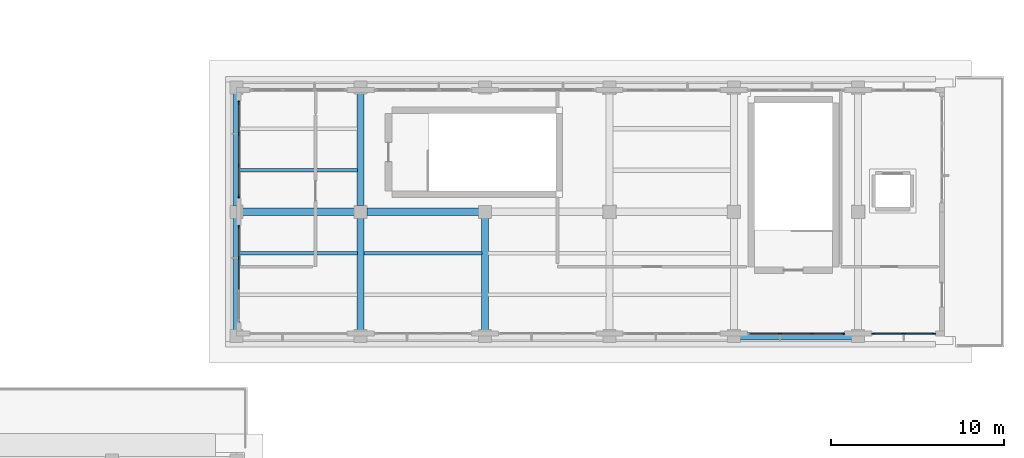
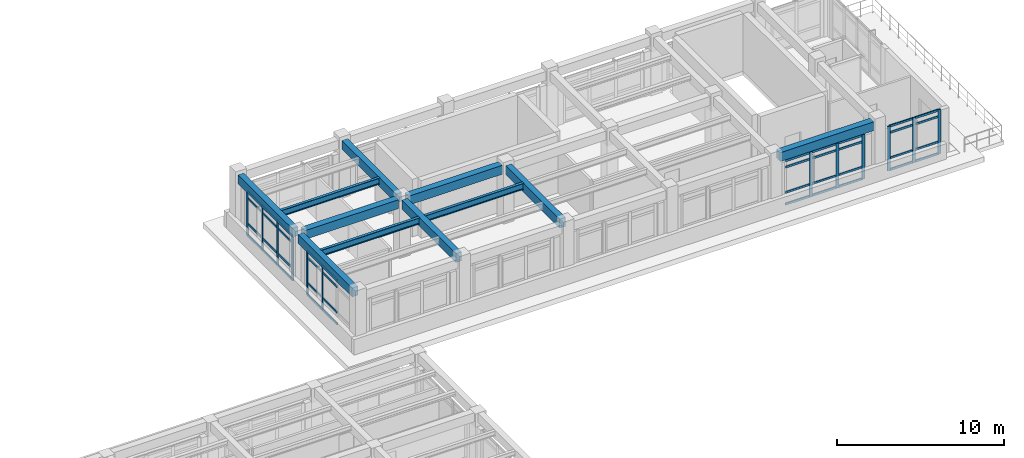
# One storey, part 15 of 64: 52 members, 11 beams, 4 elements without a shape of their own.
"""IFC4 building model written with IfcOpenShell, lengths in metres."""

from ifc_helpers import new_model, si_unit, direction, frame, origin, origin_2d, place, context, subcontext, project, spatial, rectangle, i_section, extrude, material, layer, layer_set, material_profile, profile_set, type_object, element, aggregate, save


model = new_model("IFC4")

# Units and contexts
model_context = context("Model", 3, precision=1e-05, world=origin(), true_north=direction((0.0, 1.0)))
body_context = subcontext(model_context, "Body", "Model", "MODEL_VIEW")
ifc_project = project(units=[si_unit("LENGTHUNIT", "METRE"), si_unit("AREAUNIT", "SQUARE_METRE"), si_unit("VOLUMEUNIT", "CUBIC_METRE"), si_unit("PLANEANGLEUNIT", "RADIAN"), si_unit("MASSUNIT", "GRAM", prefix="KILO")], contexts=[model_context])

# Site, building, storey
site_placement = place(None, origin())
site = spatial("IfcSite", under=ifc_project, at=site_placement, CompositionType="ELEMENT")
building_placement = place(site_placement, origin())
building = spatial("IfcBuilding", under=site, at=building_placement, Name="Solenvale Faculty of Natural Sciences", CompositionType="ELEMENT")
storey_placement = place(building_placement, frame((0.0, 0.0, 18.0)))
storey = spatial("IfcBuildingStorey", under=building, at=storey_placement, Name="L04", CompositionType="ELEMENT", Elevation=18.0)

# Beams
ifc_material_1 = material(Name="Concrete 40 MPa", Category="concrete")
ifc_material_profile_1 = material_profile(ifc_material_1, rectangle(XDim=0.39990234375, YDim=0.64990234375, at=origin_2d()), Name="RC-BM-400x650")
ifc_profile_set_1 = profile_set([ifc_material_profile_1], Name="Concrete 40 MPa")
beam_type_1 = type_object("IfcBeamType", Name="BM-RC-400x650", PredefinedType="BEAM", material=ifc_profile_set_1)
beam_1_placement = place(storey_placement, frame((115.199951171875, 43.554931640625, 3.89501953125), z_axis=(0.0, 1.0, 0.0), x_axis=(-1.0, 0.0, 0.0)))
element("IfcBeam", 1, at=beam_1_placement, inside=storey, type_object=beam_type_1, Name="L04 Y-Girder X115.2 (43.2..50.4)", PredefinedType="BEAM", context=body_context, shape_type="SweptSolid", body=[
    extrude(rectangle(XDim=0.39990234375, YDim=0.64990234375, at=origin_2d()), origin(), (0.0, 0.0, 1.0), 6.489990234375),
])
beam_2_placement = place(storey_placement, frame((115.199951171875, 50.7548828125, 3.89501953125), z_axis=(0.0, 1.0, 0.0), x_axis=(-1.0, 0.0, 0.0)))
element("IfcBeam", 2, at=beam_2_placement, inside=storey, type_object=beam_type_1, Name="L04 Y-Girder X115.2 (50.4..57.6)", PredefinedType="BEAM", context=body_context, shape_type="SweptSolid", body=[
    extrude(rectangle(XDim=0.39990234375, YDim=0.64990234375, at=origin_2d()), origin(), (0.0, 0.0, 1.0), 6.490234375),
])
beam_3_placement = place(storey_placement, frame((122.39990234375, 43.554931640625, 3.89501953125), z_axis=(0.0, 1.0, 0.0), x_axis=(-1.0, 0.0, 0.0)))
element("IfcBeam", 3, at=beam_3_placement, inside=storey, type_object=beam_type_1, Name="L04 Y-Girder X122.4 (43.2..50.4)", PredefinedType="BEAM", context=body_context, shape_type="SweptSolid", body=[
    extrude(rectangle(XDim=0.39990234375, YDim=0.64990234375, at=origin_2d()), origin(), (0.0, 0.0, 1.0), 6.489990234375),
])
beam_4_placement = place(storey_placement, frame((122.39990234375, 50.7548828125, 3.89501953125), z_axis=(0.0, 1.0, 0.0), x_axis=(-1.0, 0.0, 0.0)))
element("IfcBeam", 4, at=beam_4_placement, inside=storey, type_object=beam_type_1, Name="L04 Y-Girder X122.4 (50.4..57.6)", PredefinedType="BEAM", context=body_context, shape_type="SweptSolid", body=[
    extrude(rectangle(XDim=0.39990234375, YDim=0.64990234375, at=origin_2d()), origin(), (0.0, 0.0, 1.0), 6.490234375),
])
beam_5_placement = place(storey_placement, frame((129.60009765625, 43.554931640625, 3.89501953125), z_axis=(0.0, 1.0, 0.0), x_axis=(-1.0, 0.0, 0.0)))
element("IfcBeam", 5, at=beam_5_placement, inside=storey, type_object=beam_type_1, Name="L04 Y-Girder X129.6 (43.2..50.4)", PredefinedType="BEAM", context=body_context, shape_type="SweptSolid", body=[
    extrude(rectangle(XDim=0.39990234375, YDim=0.64990234375, at=origin_2d()), origin(), (0.0, 0.0, 1.0), 6.489990234375),
])
ifc_material_profile_2 = material_profile(ifc_material_1, rectangle(XDim=0.449951171875, YDim=0.64990234375, at=origin_2d()), Name="RC-BM-450x650")
ifc_profile_set_2 = profile_set([ifc_material_profile_2], Name="Concrete 40 MPa")
beam_type_2 = type_object("IfcBeamType", Name="BM-RC-450x650", PredefinedType="BEAM", material=ifc_profile_set_2)
for number, where, z_axis, x_axis, name in (
    (6, (144.35498046875, 43.199951171875, 3.89501953125), (1.0, 0.0, 0.0), (0.0, 1.0, 0.0), "L04 X-Girder Y43.2 (144.0..151.2)"),
    (7, (115.554931640625, 50.39990234375, 3.89501953125), (1.0, 0.0, 0.0), (0.0, 1.0, 0.0), "L04 X-Girder Y50.4 (115.2..122.4)"),
):
    element("IfcBeam", number, at=place(storey_placement, frame(where, z_axis=z_axis, x_axis=x_axis)), inside=storey, type_object=beam_type_2, Name=name, PredefinedType="BEAM", context=body_context, shape_type="SweptSolid", body=[
        extrude(rectangle(XDim=0.449951171875, YDim=0.64990234375, at=origin_2d()), origin(), (0.0, 0.0, 1.0), 6.489990234375),
    ])
beam_6_placement = place(storey_placement, frame((122.7548828125, 50.39990234375, 3.89501953125), z_axis=(1.0, 0.0, 0.0), x_axis=(0.0, 1.0, 0.0)))
element("IfcBeam", 8, at=beam_6_placement, inside=storey, type_object=beam_type_2, Name="L04 X-Girder Y50.4 (122.4..129.6)", PredefinedType="BEAM", context=body_context, shape_type="SweptSolid", body=[
    extrude(rectangle(XDim=0.449951171875, YDim=0.64990234375, at=origin_2d()), origin(), (0.0, 0.0, 1.0), 6.490234375),
])
ifc_material_2 = material(Name="Steel S355", Category="steel")
ifc_material_profile_3 = material_profile(ifc_material_2, i_section(OverallWidth=0.194091796875, OverallDepth=0.468994140625, WebThickness=0.0126953125, FlangeThickness=0.0205078125, FilletRadius=0.01806640625, at=origin_2d()), Name="W460x106")
ifc_profile_set_3 = profile_set([ifc_material_profile_3], Name="Steel S355")
beam_type_3 = type_object("IfcBeamType", Name="BM-STL-W460x106", PredefinedType="JOIST", material=ifc_profile_set_3)
beam_7_placement = place(storey_placement, frame((115.3798828125, 48.0, 3.985595703125), z_axis=(1.0, 0.0, 0.0), x_axis=(0.0, 1.0, 0.0)))
element("IfcBeam", 9, at=beam_7_placement, inside=storey, type_object=beam_type_3, Name="L04 Composite Floor Joist (17,7).2", PredefinedType="JOIST", context=body_context, shape_type="SweptSolid", body=[
    extrude(i_section(OverallWidth=0.194091796875, OverallDepth=0.468994140625, WebThickness=0.0126953125, FlangeThickness=0.0205078125, FilletRadius=0.01806640625, at=origin_2d()), origin(), (0.0, 0.0, 1.0), 6.840087890625),
])
ifc_material_profile_4 = material_profile(ifc_material_2, i_section(OverallWidth=0.19091796875, OverallDepth=0.4599609375, WebThickness=0.010009765625, FlangeThickness=0.01611328125, FilletRadius=0.01806640625, at=origin_2d()), Name="W460x82")
ifc_profile_set_4 = profile_set([ifc_material_profile_4], Name="Steel S355")
beam_type_4 = type_object("IfcBeamType", Name="BM-STL-W460x82", PredefinedType="JOIST", material=ifc_profile_set_4)
beam_8_placement = place(storey_placement, frame((115.3798828125, 52.800048828125, 3.989990234375), z_axis=(1.0, 0.0, 0.0), x_axis=(0.0, 1.0, 0.0)))
element("IfcBeam", 10, at=beam_8_placement, inside=storey, type_object=beam_type_4, Name="L04 Composite Floor Joist (17,8).1", PredefinedType="JOIST", context=body_context, shape_type="SweptSolid", body=[
    extrude(i_section(OverallWidth=0.19091796875, OverallDepth=0.4599609375, WebThickness=0.010009765625, FlangeThickness=0.01611328125, FilletRadius=0.01806640625, at=origin_2d()), origin(), (0.0, 0.0, 1.0), 6.840087890625),
])
beam_9_placement = place(storey_placement, frame((122.580078125, 48.0, 3.989990234375), z_axis=(1.0, 0.0, 0.0), x_axis=(0.0, 1.0, 0.0)))
element("IfcBeam", 11, at=beam_9_placement, inside=storey, type_object=beam_type_4, Name="L04 Composite Floor Joist (18,7).2", PredefinedType="JOIST", context=body_context, shape_type="SweptSolid", body=[
    extrude(i_section(OverallWidth=0.19091796875, OverallDepth=0.4599609375, WebThickness=0.010009765625, FlangeThickness=0.01611328125, FilletRadius=0.01806640625, at=origin_2d()), origin(), (0.0, 0.0, 1.0), 6.83984375),
])

# Curtain wall, members
ifc_material_3 = material(Name="Anodised bronze aluminium", Category="aluminium")
ifc_layer = layer(ifc_material_3, 0.199951171875)
ifc_layer_set = layer_set([ifc_layer], Name="Anodised bronze aluminium")
curtain_wall_type = type_object("IfcCurtainWallType", Name="CW-COM-FIN", PredefinedType="USERDEFINED", material=ifc_layer_set)
curtain_wall_1_placement = place(storey_placement, origin())
curtain_wall_1 = element("IfcCurtainWall", 12, at=curtain_wall_1_placement, inside=storey, type_object=curtain_wall_type, Name="L04 Curtain Wall CW-L04-P2-E1-B5", ObjectType="UNITISED CURTAIN WALL", PredefinedType="USERDEFINED")
ifc_material_profile_5 = material_profile(ifc_material_3, rectangle(XDim=0.074951171875, YDim=0.2099609375, at=origin_2d()), Name="ALU-MUL-75x210")
ifc_profile_set_5 = profile_set([ifc_material_profile_5], Name="Anodised bronze aluminium")
member_type_1 = type_object("IfcMemberType", Name="CWM-ALU-75x210", PredefinedType="MULLION", material=ifc_profile_set_5)
member_1_placement = place(storey_placement, frame((146.683349609375, 43.342529296875, 0.0), z_axis=(0.0, 0.0, 1.0), x_axis=(0.0, 1.0, 0.0)))
member_1 = element("IfcMember", 13, at=member_1_placement, type_object=member_type_1, Name="CW-03 mullion 2", PredefinedType="MULLION", context=body_context, shape_type="SweptSolid", body=[
    extrude(rectangle(XDim=0.074951171875, YDim=0.2099609375, at=origin_2d()), origin(), (0.0, 0.0, 1.0), 3.260009765625),
])
member_2_placement = place(storey_placement, frame((148.5166015625, 43.342529296875, 0.0), z_axis=(0.0, 0.0, 1.0), x_axis=(0.0, 1.0, 0.0)))
member_2 = element("IfcMember", 14, at=member_2_placement, type_object=member_type_1, Name="CW-03 mullion 3", PredefinedType="MULLION", context=body_context, shape_type="SweptSolid", body=[
    extrude(rectangle(XDim=0.074951171875, YDim=0.2099609375, at=origin_2d()), origin(), (0.0, 0.0, 1.0), 3.260009765625),
])
member_3_placement = place(storey_placement, frame((150.3125, 43.342529296875, 0.0), z_axis=(0.0, 0.0, 1.0), x_axis=(0.0, 1.0, 0.0)))
member_3 = element("IfcMember", 15, at=member_3_placement, type_object=member_type_1, Name="CW-03 mullion 4", PredefinedType="MULLION", context=body_context, shape_type="SweptSolid", body=[
    extrude(rectangle(XDim=0.074951171875, YDim=0.2099609375, at=origin_2d()), origin(), (0.0, 0.0, 1.0), 3.260009765625),
])

curtain_wall_2_placement = place(storey_placement, origin())
curtain_wall_2 = element("IfcCurtainWall", 16, at=curtain_wall_2_placement, inside=storey, type_object=curtain_wall_type, Name="L04 Curtain Wall CW-L04-P2-E1-B6", ObjectType="UNITISED CURTAIN WALL", PredefinedType="USERDEFINED")
member_4_placement = place(storey_placement, frame((152.08740234375, 43.342529296875, 0.0), z_axis=(0.0, 0.0, 1.0), x_axis=(0.0, 1.0, 0.0)))
member_4 = element("IfcMember", 17, at=member_4_placement, type_object=member_type_1, Name="CW-03 mullion 1", PredefinedType="MULLION", context=body_context, shape_type="SweptSolid", body=[
    extrude(rectangle(XDim=0.074951171875, YDim=0.2099609375, at=origin_2d()), origin(), (0.0, 0.0, 1.0), 3.260009765625),
])
member_5_placement = place(storey_placement, frame((153.8349609375, 43.342529296875, 0.0), z_axis=(0.0, 0.0, 1.0), x_axis=(0.0, 1.0, 0.0)))
member_5 = element("IfcMember", 18, at=member_5_placement, type_object=member_type_1, Name="CW-03 mullion 2", PredefinedType="MULLION", context=body_context, shape_type="SweptSolid", body=[
    extrude(rectangle(XDim=0.074951171875, YDim=0.2099609375, at=origin_2d()), origin(), (0.0, 0.0, 1.0), 3.260009765625),
])
member_6_placement = place(storey_placement, frame((155.58251953125, 43.342529296875, 0.0), z_axis=(0.0, 0.0, 1.0), x_axis=(0.0, 1.0, 0.0)))
member_6 = element("IfcMember", 19, at=member_6_placement, type_object=member_type_1, Name="CW-03 mullion 3", PredefinedType="MULLION", context=body_context, shape_type="SweptSolid", body=[
    extrude(rectangle(XDim=0.074951171875, YDim=0.2099609375, at=origin_2d()), origin(), (0.0, 0.0, 1.0), 3.260009765625),
])

curtain_wall_3_placement = place(storey_placement, origin())
curtain_wall_3 = element("IfcCurtainWall", 20, at=curtain_wall_3_placement, inside=storey, type_object=curtain_wall_type, Name="L04 Curtain Wall CW-L04-P2-E4-B1", ObjectType="UNITISED CURTAIN WALL", PredefinedType="USERDEFINED")
member_7_placement = place(storey_placement, frame((115.342529296875, 56.71240234375, 0.0), z_axis=(0.0, 0.0, 1.0), x_axis=(1.0, 0.0, 0.0)))
member_7 = element("IfcMember", 21, at=member_7_placement, type_object=member_type_1, Name="CW-03 mullion 1", PredefinedType="MULLION", context=body_context, shape_type="SweptSolid", body=[
    extrude(rectangle(XDim=0.074951171875, YDim=0.2099609375, at=origin_2d()), origin(), (0.0, 0.0, 1.0), 3.260009765625),
])
member_8_placement = place(storey_placement, frame((115.342529296875, 54.916748046875, 0.0), z_axis=(0.0, 0.0, 1.0), x_axis=(1.0, 0.0, 0.0)))
member_8 = element("IfcMember", 22, at=member_8_placement, type_object=member_type_1, Name="CW-03 mullion 2", PredefinedType="MULLION", context=body_context, shape_type="SweptSolid", body=[
    extrude(rectangle(XDim=0.074951171875, YDim=0.2099609375, at=origin_2d()), origin(), (0.0, 0.0, 1.0), 3.260009765625),
])
member_9_placement = place(storey_placement, frame((115.342529296875, 53.083251953125, 0.0), z_axis=(0.0, 0.0, 1.0), x_axis=(1.0, 0.0, 0.0)))
member_9 = element("IfcMember", 23, at=member_9_placement, type_object=member_type_1, Name="CW-03 mullion 3", PredefinedType="MULLION", context=body_context, shape_type="SweptSolid", body=[
    extrude(rectangle(XDim=0.074951171875, YDim=0.2099609375, at=origin_2d()), origin(), (0.0, 0.0, 1.0), 3.260009765625),
])
member_10_placement = place(storey_placement, frame((115.342529296875, 51.28759765625, 0.0), z_axis=(0.0, 0.0, 1.0), x_axis=(1.0, 0.0, 0.0)))
member_10 = element("IfcMember", 24, at=member_10_placement, type_object=member_type_1, Name="CW-03 mullion 4", PredefinedType="MULLION", context=body_context, shape_type="SweptSolid", body=[
    extrude(rectangle(XDim=0.074951171875, YDim=0.2099609375, at=origin_2d()), origin(), (0.0, 0.0, 1.0), 3.260009765625),
])

curtain_wall_4_placement = place(storey_placement, origin())
curtain_wall_4 = element("IfcCurtainWall", 25, at=curtain_wall_4_placement, inside=storey, type_object=curtain_wall_type, Name="L04 Curtain Wall CW-L04-P2-E4-B2", ObjectType="UNITISED CURTAIN WALL", PredefinedType="USERDEFINED")
member_11_placement = place(storey_placement, frame((115.342529296875, 49.512451171875, 0.0), z_axis=(0.0, 0.0, 1.0), x_axis=(1.0, 0.0, 0.0)))
member_11 = element("IfcMember", 26, at=member_11_placement, type_object=member_type_1, Name="CW-03 mullion 1", PredefinedType="MULLION", context=body_context, shape_type="SweptSolid", body=[
    extrude(rectangle(XDim=0.074951171875, YDim=0.2099609375, at=origin_2d()), origin(), (0.0, 0.0, 1.0), 3.260009765625),
])
member_12_placement = place(storey_placement, frame((115.342529296875, 47.716552734375, 0.0), z_axis=(0.0, 0.0, 1.0), x_axis=(1.0, 0.0, 0.0)))
member_12 = element("IfcMember", 27, at=member_12_placement, type_object=member_type_1, Name="CW-03 mullion 2", PredefinedType="MULLION", context=body_context, shape_type="SweptSolid", body=[
    extrude(rectangle(XDim=0.074951171875, YDim=0.2099609375, at=origin_2d()), origin(), (0.0, 0.0, 1.0), 3.260009765625),
])

# Member
ifc_material_profile_6 = material_profile(ifc_material_3, rectangle(XDim=0.074951171875, YDim=0.155029296875, at=origin_2d()), Name="ALU-TRN-75x155")
ifc_profile_set_6 = profile_set([ifc_material_profile_6], Name="Anodised bronze aluminium")
member_type_2 = type_object("IfcMemberType", Name="CWT-ALU-75x155", PredefinedType="USERDEFINED", material=ifc_profile_set_6)
member_13_placement = place(storey_placement, frame((144.925048828125, 43.342529296875, 0.03759765625), z_axis=(1.0, 0.0, 0.0), x_axis=(0.0, 1.0, 0.0)))
member_13 = element("IfcMember", 28, at=member_13_placement, type_object=member_type_2, Name="CW-03 transom 1.1", ObjectType="TRANSOM", PredefinedType="USERDEFINED", context=body_context, shape_type="SweptSolid", body=[
    extrude(rectangle(XDim=0.074951171875, YDim=0.155029296875, at=origin_2d()), origin(), (0.0, 0.0, 1.0), 1.720703125),
])

member_14_placement = place(storey_placement, frame((144.925048828125, 43.342529296875, 0.89990234375), z_axis=(1.0, 0.0, 0.0), x_axis=(0.0, 1.0, 0.0)))
member_14 = element("IfcMember", 29, at=member_14_placement, type_object=member_type_2, Name="CW-03 transom 1.2", ObjectType="TRANSOM", PredefinedType="USERDEFINED", context=body_context, shape_type="SweptSolid", body=[
    extrude(rectangle(XDim=0.074951171875, YDim=0.155029296875, at=origin_2d()), origin(), (0.0, 0.0, 1.0), 1.720703125),
])

member_15_placement = place(storey_placement, frame((144.925048828125, 43.342529296875, 2.760009765625), z_axis=(1.0, 0.0, 0.0), x_axis=(0.0, 1.0, 0.0)))
member_15 = element("IfcMember", 30, at=member_15_placement, type_object=member_type_2, Name="CW-03 transom 1.3", ObjectType="TRANSOM", PredefinedType="USERDEFINED", context=body_context, shape_type="SweptSolid", body=[
    extrude(rectangle(XDim=0.074951171875, YDim=0.155029296875, at=origin_2d()), origin(), (0.0, 0.0, 1.0), 1.720703125),
])

member_16_placement = place(storey_placement, frame((144.925048828125, 43.342529296875, 3.222412109375), z_axis=(1.0, 0.0, 0.0), x_axis=(0.0, 1.0, 0.0)))
member_16 = element("IfcMember", 31, at=member_16_placement, type_object=member_type_2, Name="CW-03 transom 1.4", ObjectType="TRANSOM", PredefinedType="USERDEFINED", context=body_context, shape_type="SweptSolid", body=[
    extrude(rectangle(XDim=0.074951171875, YDim=0.155029296875, at=origin_2d()), origin(), (0.0, 0.0, 1.0), 1.720703125),
])

member_17_placement = place(storey_placement, frame((146.720947265625, 43.342529296875, 0.03759765625), z_axis=(1.0, 0.0, 0.0), x_axis=(0.0, 1.0, 0.0)))
member_17 = element("IfcMember", 32, at=member_17_placement, type_object=member_type_2, Name="CW-03 transom 2.1", ObjectType="TRANSOM", PredefinedType="USERDEFINED", context=body_context, shape_type="SweptSolid", body=[
    extrude(rectangle(XDim=0.074951171875, YDim=0.155029296875, at=origin_2d()), origin(), (0.0, 0.0, 1.0), 1.75830078125),
])

member_18_placement = place(storey_placement, frame((146.720947265625, 43.342529296875, 0.89990234375), z_axis=(1.0, 0.0, 0.0), x_axis=(0.0, 1.0, 0.0)))
member_18 = element("IfcMember", 33, at=member_18_placement, type_object=member_type_2, Name="CW-03 transom 2.2", ObjectType="TRANSOM", PredefinedType="USERDEFINED", context=body_context, shape_type="SweptSolid", body=[
    extrude(rectangle(XDim=0.074951171875, YDim=0.155029296875, at=origin_2d()), origin(), (0.0, 0.0, 1.0), 1.75830078125),
])

member_19_placement = place(storey_placement, frame((146.720947265625, 43.342529296875, 2.760009765625), z_axis=(1.0, 0.0, 0.0), x_axis=(0.0, 1.0, 0.0)))
member_19 = element("IfcMember", 34, at=member_19_placement, type_object=member_type_2, Name="CW-03 transom 2.3", ObjectType="TRANSOM", PredefinedType="USERDEFINED", context=body_context, shape_type="SweptSolid", body=[
    extrude(rectangle(XDim=0.074951171875, YDim=0.155029296875, at=origin_2d()), origin(), (0.0, 0.0, 1.0), 1.75830078125),
])

member_20_placement = place(storey_placement, frame((146.720947265625, 43.342529296875, 3.222412109375), z_axis=(1.0, 0.0, 0.0), x_axis=(0.0, 1.0, 0.0)))
member_20 = element("IfcMember", 35, at=member_20_placement, type_object=member_type_2, Name="CW-03 transom 2.4", ObjectType="TRANSOM", PredefinedType="USERDEFINED", context=body_context, shape_type="SweptSolid", body=[
    extrude(rectangle(XDim=0.074951171875, YDim=0.155029296875, at=origin_2d()), origin(), (0.0, 0.0, 1.0), 1.75830078125),
])

member_21_placement = place(storey_placement, frame((148.55419921875, 43.342529296875, 0.03759765625), z_axis=(1.0, 0.0, 0.0), x_axis=(0.0, 1.0, 0.0)))
member_21 = element("IfcMember", 36, at=member_21_placement, type_object=member_type_2, Name="CW-03 transom 3.1", ObjectType="TRANSOM", PredefinedType="USERDEFINED", context=body_context, shape_type="SweptSolid", body=[
    extrude(rectangle(XDim=0.074951171875, YDim=0.155029296875, at=origin_2d()), origin(), (0.0, 0.0, 1.0), 1.720703125),
])

member_22_placement = place(storey_placement, frame((148.55419921875, 43.342529296875, 0.89990234375), z_axis=(1.0, 0.0, 0.0), x_axis=(0.0, 1.0, 0.0)))
member_22 = element("IfcMember", 37, at=member_22_placement, type_object=member_type_2, Name="CW-03 transom 3.2", ObjectType="TRANSOM", PredefinedType="USERDEFINED", context=body_context, shape_type="SweptSolid", body=[
    extrude(rectangle(XDim=0.074951171875, YDim=0.155029296875, at=origin_2d()), origin(), (0.0, 0.0, 1.0), 1.720703125),
])

member_23_placement = place(storey_placement, frame((148.55419921875, 43.342529296875, 2.760009765625), z_axis=(1.0, 0.0, 0.0), x_axis=(0.0, 1.0, 0.0)))
member_23 = element("IfcMember", 38, at=member_23_placement, type_object=member_type_2, Name="CW-03 transom 3.3", ObjectType="TRANSOM", PredefinedType="USERDEFINED", context=body_context, shape_type="SweptSolid", body=[
    extrude(rectangle(XDim=0.074951171875, YDim=0.155029296875, at=origin_2d()), origin(), (0.0, 0.0, 1.0), 1.720703125),
])

member_24_placement = place(storey_placement, frame((148.55419921875, 43.342529296875, 3.222412109375), z_axis=(1.0, 0.0, 0.0), x_axis=(0.0, 1.0, 0.0)))
member_24 = element("IfcMember", 39, at=member_24_placement, type_object=member_type_2, Name="CW-03 transom 3.4", ObjectType="TRANSOM", PredefinedType="USERDEFINED", context=body_context, shape_type="SweptSolid", body=[
    extrude(rectangle(XDim=0.074951171875, YDim=0.155029296875, at=origin_2d()), origin(), (0.0, 0.0, 1.0), 1.720703125),
])

aggregate(curtain_wall_1, [member_1, member_2, member_3, member_13, member_14, member_15, member_16, member_17, member_18, member_19, member_20, member_21, member_22, member_23, member_24])

member_25_placement = place(storey_placement, frame((152.125, 43.342529296875, 0.03759765625), z_axis=(1.0, 0.0, 0.0), x_axis=(0.0, 1.0, 0.0)))
member_25 = element("IfcMember", 40, at=member_25_placement, type_object=member_type_2, Name="CW-03 transom 1.1", ObjectType="TRANSOM", PredefinedType="USERDEFINED", context=body_context, shape_type="SweptSolid", body=[
    extrude(rectangle(XDim=0.074951171875, YDim=0.155029296875, at=origin_2d()), origin(), (0.0, 0.0, 1.0), 1.672607421875),
])

member_26_placement = place(storey_placement, frame((152.125, 43.342529296875, 0.89990234375), z_axis=(1.0, 0.0, 0.0), x_axis=(0.0, 1.0, 0.0)))
member_26 = element("IfcMember", 41, at=member_26_placement, type_object=member_type_2, Name="CW-03 transom 1.2", ObjectType="TRANSOM", PredefinedType="USERDEFINED", context=body_context, shape_type="SweptSolid", body=[
    extrude(rectangle(XDim=0.074951171875, YDim=0.155029296875, at=origin_2d()), origin(), (0.0, 0.0, 1.0), 1.672607421875),
])

member_27_placement = place(storey_placement, frame((152.125, 43.342529296875, 2.760009765625), z_axis=(1.0, 0.0, 0.0), x_axis=(0.0, 1.0, 0.0)))
member_27 = element("IfcMember", 42, at=member_27_placement, type_object=member_type_2, Name="CW-03 transom 1.3", ObjectType="TRANSOM", PredefinedType="USERDEFINED", context=body_context, shape_type="SweptSolid", body=[
    extrude(rectangle(XDim=0.074951171875, YDim=0.155029296875, at=origin_2d()), origin(), (0.0, 0.0, 1.0), 1.672607421875),
])

member_28_placement = place(storey_placement, frame((152.125, 43.342529296875, 3.222412109375), z_axis=(1.0, 0.0, 0.0), x_axis=(0.0, 1.0, 0.0)))
member_28 = element("IfcMember", 43, at=member_28_placement, type_object=member_type_2, Name="CW-03 transom 1.4", ObjectType="TRANSOM", PredefinedType="USERDEFINED", context=body_context, shape_type="SweptSolid", body=[
    extrude(rectangle(XDim=0.074951171875, YDim=0.155029296875, at=origin_2d()), origin(), (0.0, 0.0, 1.0), 1.672607421875),
])

member_29_placement = place(storey_placement, frame((153.87255859375, 43.342529296875, 0.03759765625), z_axis=(1.0, 0.0, 0.0), x_axis=(0.0, 1.0, 0.0)))
member_29 = element("IfcMember", 44, at=member_29_placement, type_object=member_type_2, Name="CW-03 transom 2.1", ObjectType="TRANSOM", PredefinedType="USERDEFINED", context=body_context, shape_type="SweptSolid", body=[
    extrude(rectangle(XDim=0.074951171875, YDim=0.155029296875, at=origin_2d()), origin(), (0.0, 0.0, 1.0), 1.67236328125),
])

member_30_placement = place(storey_placement, frame((153.87255859375, 43.342529296875, 0.89990234375), z_axis=(1.0, 0.0, 0.0), x_axis=(0.0, 1.0, 0.0)))
member_30 = element("IfcMember", 45, at=member_30_placement, type_object=member_type_2, Name="CW-03 transom 2.2", ObjectType="TRANSOM", PredefinedType="USERDEFINED", context=body_context, shape_type="SweptSolid", body=[
    extrude(rectangle(XDim=0.074951171875, YDim=0.155029296875, at=origin_2d()), origin(), (0.0, 0.0, 1.0), 1.67236328125),
])

member_31_placement = place(storey_placement, frame((153.87255859375, 43.342529296875, 2.760009765625), z_axis=(1.0, 0.0, 0.0), x_axis=(0.0, 1.0, 0.0)))
member_31 = element("IfcMember", 46, at=member_31_placement, type_object=member_type_2, Name="CW-03 transom 2.3", ObjectType="TRANSOM", PredefinedType="USERDEFINED", context=body_context, shape_type="SweptSolid", body=[
    extrude(rectangle(XDim=0.074951171875, YDim=0.155029296875, at=origin_2d()), origin(), (0.0, 0.0, 1.0), 1.67236328125),
])

member_32_placement = place(storey_placement, frame((153.87255859375, 43.342529296875, 3.222412109375), z_axis=(1.0, 0.0, 0.0), x_axis=(0.0, 1.0, 0.0)))
member_32 = element("IfcMember", 47, at=member_32_placement, type_object=member_type_2, Name="CW-03 transom 2.4", ObjectType="TRANSOM", PredefinedType="USERDEFINED", context=body_context, shape_type="SweptSolid", body=[
    extrude(rectangle(XDim=0.074951171875, YDim=0.155029296875, at=origin_2d()), origin(), (0.0, 0.0, 1.0), 1.67236328125),
])

aggregate(curtain_wall_2, [member_4, member_5, member_6, member_25, member_26, member_27, member_28, member_29, member_30, member_31, member_32])

member_33_placement = place(storey_placement, frame((115.342529296875, 56.675048828125, 0.03759765625), z_axis=(0.0, -1.0, 0.0), x_axis=(1.0, 0.0, 0.0)))
member_33 = element("IfcMember", 48, at=member_33_placement, type_object=member_type_2, Name="CW-03 transom 1.1", ObjectType="TRANSOM", PredefinedType="USERDEFINED", context=body_context, shape_type="SweptSolid", body=[
    extrude(rectangle(XDim=0.074951171875, YDim=0.155029296875, at=origin_2d()), origin(), (0.0, 0.0, 1.0), 1.720947265625),
])

member_34_placement = place(storey_placement, frame((115.342529296875, 56.675048828125, 0.89990234375), z_axis=(0.0, -1.0, 0.0), x_axis=(1.0, 0.0, 0.0)))
member_34 = element("IfcMember", 49, at=member_34_placement, type_object=member_type_2, Name="CW-03 transom 1.2", ObjectType="TRANSOM", PredefinedType="USERDEFINED", context=body_context, shape_type="SweptSolid", body=[
    extrude(rectangle(XDim=0.074951171875, YDim=0.155029296875, at=origin_2d()), origin(), (0.0, 0.0, 1.0), 1.720947265625),
])

member_35_placement = place(storey_placement, frame((115.342529296875, 56.675048828125, 2.760009765625), z_axis=(0.0, -1.0, 0.0), x_axis=(1.0, 0.0, 0.0)))
member_35 = element("IfcMember", 50, at=member_35_placement, type_object=member_type_2, Name="CW-03 transom 1.3", ObjectType="TRANSOM", PredefinedType="USERDEFINED", context=body_context, shape_type="SweptSolid", body=[
    extrude(rectangle(XDim=0.074951171875, YDim=0.155029296875, at=origin_2d()), origin(), (0.0, 0.0, 1.0), 1.720947265625),
])

member_36_placement = place(storey_placement, frame((115.342529296875, 56.675048828125, 3.222412109375), z_axis=(0.0, -1.0, 0.0), x_axis=(1.0, 0.0, 0.0)))
member_36 = element("IfcMember", 51, at=member_36_placement, type_object=member_type_2, Name="CW-03 transom 1.4", ObjectType="TRANSOM", PredefinedType="USERDEFINED", context=body_context, shape_type="SweptSolid", body=[
    extrude(rectangle(XDim=0.074951171875, YDim=0.155029296875, at=origin_2d()), origin(), (0.0, 0.0, 1.0), 1.720947265625),
])

member_37_placement = place(storey_placement, frame((115.342529296875, 54.879150390625, 0.03759765625), z_axis=(0.0, -1.0, 0.0), x_axis=(1.0, 0.0, 0.0)))
member_37 = element("IfcMember", 52, at=member_37_placement, type_object=member_type_2, Name="CW-03 transom 2.1", ObjectType="TRANSOM", PredefinedType="USERDEFINED", context=body_context, shape_type="SweptSolid", body=[
    extrude(rectangle(XDim=0.074951171875, YDim=0.155029296875, at=origin_2d()), origin(), (0.0, 0.0, 1.0), 1.75830078125),
])

member_38_placement = place(storey_placement, frame((115.342529296875, 54.879150390625, 0.89990234375), z_axis=(0.0, -1.0, 0.0), x_axis=(1.0, 0.0, 0.0)))
member_38 = element("IfcMember", 53, at=member_38_placement, type_object=member_type_2, Name="CW-03 transom 2.2", ObjectType="TRANSOM", PredefinedType="USERDEFINED", context=body_context, shape_type="SweptSolid", body=[
    extrude(rectangle(XDim=0.074951171875, YDim=0.155029296875, at=origin_2d()), origin(), (0.0, 0.0, 1.0), 1.75830078125),
])

member_39_placement = place(storey_placement, frame((115.342529296875, 54.879150390625, 2.760009765625), z_axis=(0.0, -1.0, 0.0), x_axis=(1.0, 0.0, 0.0)))
member_39 = element("IfcMember", 54, at=member_39_placement, type_object=member_type_2, Name="CW-03 transom 2.3", ObjectType="TRANSOM", PredefinedType="USERDEFINED", context=body_context, shape_type="SweptSolid", body=[
    extrude(rectangle(XDim=0.074951171875, YDim=0.155029296875, at=origin_2d()), origin(), (0.0, 0.0, 1.0), 1.75830078125),
])

member_40_placement = place(storey_placement, frame((115.342529296875, 54.879150390625, 3.222412109375), z_axis=(0.0, -1.0, 0.0), x_axis=(1.0, 0.0, 0.0)))
member_40 = element("IfcMember", 55, at=member_40_placement, type_object=member_type_2, Name="CW-03 transom 2.4", ObjectType="TRANSOM", PredefinedType="USERDEFINED", context=body_context, shape_type="SweptSolid", body=[
    extrude(rectangle(XDim=0.074951171875, YDim=0.155029296875, at=origin_2d()), origin(), (0.0, 0.0, 1.0), 1.75830078125),
])

member_41_placement = place(storey_placement, frame((115.342529296875, 53.0458984375, 0.03759765625), z_axis=(0.0, -1.0, 0.0), x_axis=(1.0, 0.0, 0.0)))
member_41 = element("IfcMember", 56, at=member_41_placement, type_object=member_type_2, Name="CW-03 transom 3.1", ObjectType="TRANSOM", PredefinedType="USERDEFINED", context=body_context, shape_type="SweptSolid", body=[
    extrude(rectangle(XDim=0.074951171875, YDim=0.155029296875, at=origin_2d()), origin(), (0.0, 0.0, 1.0), 1.720947265625),
])

member_42_placement = place(storey_placement, frame((115.342529296875, 53.0458984375, 0.89990234375), z_axis=(0.0, -1.0, 0.0), x_axis=(1.0, 0.0, 0.0)))
member_42 = element("IfcMember", 57, at=member_42_placement, type_object=member_type_2, Name="CW-03 transom 3.2", ObjectType="TRANSOM", PredefinedType="USERDEFINED", context=body_context, shape_type="SweptSolid", body=[
    extrude(rectangle(XDim=0.074951171875, YDim=0.155029296875, at=origin_2d()), origin(), (0.0, 0.0, 1.0), 1.720947265625),
])

member_43_placement = place(storey_placement, frame((115.342529296875, 53.0458984375, 2.760009765625), z_axis=(0.0, -1.0, 0.0), x_axis=(1.0, 0.0, 0.0)))
member_43 = element("IfcMember", 58, at=member_43_placement, type_object=member_type_2, Name="CW-03 transom 3.3", ObjectType="TRANSOM", PredefinedType="USERDEFINED", context=body_context, shape_type="SweptSolid", body=[
    extrude(rectangle(XDim=0.074951171875, YDim=0.155029296875, at=origin_2d()), origin(), (0.0, 0.0, 1.0), 1.720947265625),
])

member_44_placement = place(storey_placement, frame((115.342529296875, 53.0458984375, 3.222412109375), z_axis=(0.0, -1.0, 0.0), x_axis=(1.0, 0.0, 0.0)))
member_44 = element("IfcMember", 59, at=member_44_placement, type_object=member_type_2, Name="CW-03 transom 3.4", ObjectType="TRANSOM", PredefinedType="USERDEFINED", context=body_context, shape_type="SweptSolid", body=[
    extrude(rectangle(XDim=0.074951171875, YDim=0.155029296875, at=origin_2d()), origin(), (0.0, 0.0, 1.0), 1.720947265625),
])

aggregate(curtain_wall_3, [member_7, member_8, member_9, member_10, member_33, member_34, member_35, member_36, member_37, member_38, member_39, member_40, member_41, member_42, member_43, member_44])

member_45_placement = place(storey_placement, frame((115.342529296875, 49.47509765625, 0.03759765625), z_axis=(0.0, -1.0, 0.0), x_axis=(1.0, 0.0, 0.0)))
member_45 = element("IfcMember", 60, at=member_45_placement, type_object=member_type_2, Name="CW-03 transom 1.1", ObjectType="TRANSOM", PredefinedType="USERDEFINED", context=body_context, shape_type="SweptSolid", body=[
    extrude(rectangle(XDim=0.074951171875, YDim=0.155029296875, at=origin_2d()), origin(), (0.0, 0.0, 1.0), 1.720947265625),
])

member_46_placement = place(storey_placement, frame((115.342529296875, 49.47509765625, 0.89990234375), z_axis=(0.0, -1.0, 0.0), x_axis=(1.0, 0.0, 0.0)))
member_46 = element("IfcMember", 61, at=member_46_placement, type_object=member_type_2, Name="CW-03 transom 1.2", ObjectType="TRANSOM", PredefinedType="USERDEFINED", context=body_context, shape_type="SweptSolid", body=[
    extrude(rectangle(XDim=0.074951171875, YDim=0.155029296875, at=origin_2d()), origin(), (0.0, 0.0, 1.0), 1.720947265625),
])

member_47_placement = place(storey_placement, frame((115.342529296875, 49.47509765625, 2.760009765625), z_axis=(0.0, -1.0, 0.0), x_axis=(1.0, 0.0, 0.0)))
member_47 = element("IfcMember", 62, at=member_47_placement, type_object=member_type_2, Name="CW-03 transom 1.3", ObjectType="TRANSOM", PredefinedType="USERDEFINED", context=body_context, shape_type="SweptSolid", body=[
    extrude(rectangle(XDim=0.074951171875, YDim=0.155029296875, at=origin_2d()), origin(), (0.0, 0.0, 1.0), 1.720947265625),
])

member_48_placement = place(storey_placement, frame((115.342529296875, 49.47509765625, 3.222412109375), z_axis=(0.0, -1.0, 0.0), x_axis=(1.0, 0.0, 0.0)))
member_48 = element("IfcMember", 63, at=member_48_placement, type_object=member_type_2, Name="CW-03 transom 1.4", ObjectType="TRANSOM", PredefinedType="USERDEFINED", context=body_context, shape_type="SweptSolid", body=[
    extrude(rectangle(XDim=0.074951171875, YDim=0.155029296875, at=origin_2d()), origin(), (0.0, 0.0, 1.0), 1.720947265625),
])

member_49_placement = place(storey_placement, frame((115.342529296875, 47.67919921875, 0.03759765625), z_axis=(0.0, -1.0, 0.0), x_axis=(1.0, 0.0, 0.0)))
member_49 = element("IfcMember", 64, at=member_49_placement, type_object=member_type_2, Name="CW-03 transom 2.1", ObjectType="TRANSOM", PredefinedType="USERDEFINED", context=body_context, shape_type="SweptSolid", body=[
    extrude(rectangle(XDim=0.074951171875, YDim=0.155029296875, at=origin_2d()), origin(), (0.0, 0.0, 1.0), 1.75830078125),
])

member_50_placement = place(storey_placement, frame((115.342529296875, 47.67919921875, 0.89990234375), z_axis=(0.0, -1.0, 0.0), x_axis=(1.0, 0.0, 0.0)))
member_50 = element("IfcMember", 65, at=member_50_placement, type_object=member_type_2, Name="CW-03 transom 2.2", ObjectType="TRANSOM", PredefinedType="USERDEFINED", context=body_context, shape_type="SweptSolid", body=[
    extrude(rectangle(XDim=0.074951171875, YDim=0.155029296875, at=origin_2d()), origin(), (0.0, 0.0, 1.0), 1.75830078125),
])

member_51_placement = place(storey_placement, frame((115.342529296875, 47.67919921875, 2.760009765625), z_axis=(0.0, -1.0, 0.0), x_axis=(1.0, 0.0, 0.0)))
member_51 = element("IfcMember", 66, at=member_51_placement, type_object=member_type_2, Name="CW-03 transom 2.3", ObjectType="TRANSOM", PredefinedType="USERDEFINED", context=body_context, shape_type="SweptSolid", body=[
    extrude(rectangle(XDim=0.074951171875, YDim=0.155029296875, at=origin_2d()), origin(), (0.0, 0.0, 1.0), 1.75830078125),
])

member_52_placement = place(storey_placement, frame((115.342529296875, 47.67919921875, 3.222412109375), z_axis=(0.0, -1.0, 0.0), x_axis=(1.0, 0.0, 0.0)))
member_52 = element("IfcMember", 67, at=member_52_placement, type_object=member_type_2, Name="CW-03 transom 2.4", ObjectType="TRANSOM", PredefinedType="USERDEFINED", context=body_context, shape_type="SweptSolid", body=[
    extrude(rectangle(XDim=0.074951171875, YDim=0.155029296875, at=origin_2d()), origin(), (0.0, 0.0, 1.0), 1.75830078125),
])

aggregate(curtain_wall_4, [member_11, member_12, member_45, member_46, member_47, member_48, member_49, member_50, member_51, member_52])

save(model, "model.ifc")
